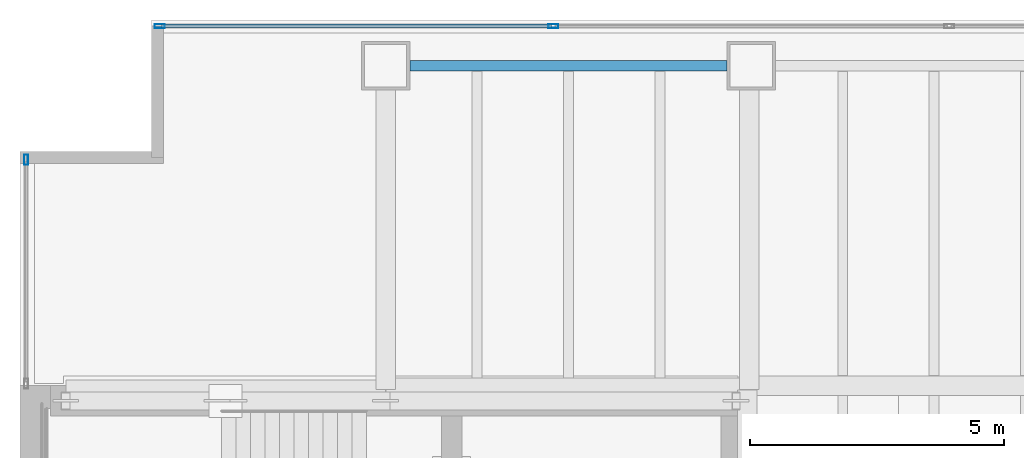
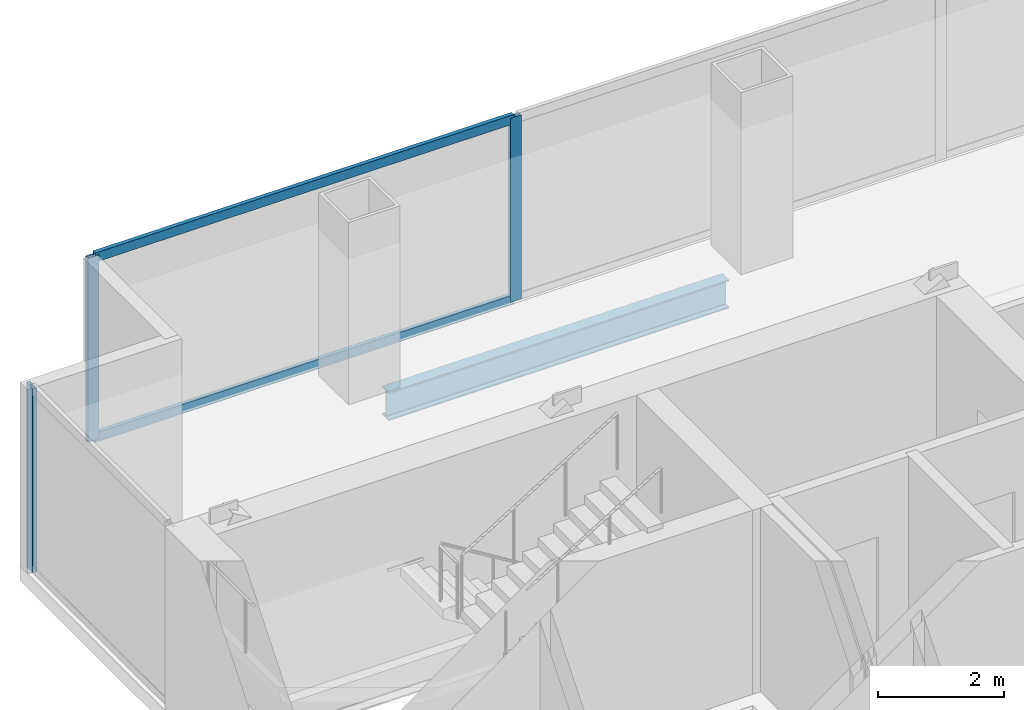
# One storey, part 16 of 24: 5 members, 1 beam, 2 elements without a shape of their own.
"""IFC4 building model written with IfcOpenShell, lengths in metres."""

from ifc_helpers import new_model, si_unit, direction, frame, origin, origin_2d, place, context, subcontext, project, spatial, hollow_rectangle, i_section, extrude, material, material_profile, profile_set, type_object, element, aggregate, save


model = new_model("IFC4")

# Units and contexts
model_context = context("Model", 3, precision=1e-05, world=origin(), true_north=direction((0.0, 1.0)))
body_context = subcontext(model_context, "Body", "Model", "MODEL_VIEW")
ifc_project = project(units=[si_unit("LENGTHUNIT", "METRE"), si_unit("AREAUNIT", "SQUARE_METRE"), si_unit("VOLUMEUNIT", "CUBIC_METRE"), si_unit("PLANEANGLEUNIT", "RADIAN"), si_unit("MASSUNIT", "GRAM", prefix="KILO")], contexts=[model_context])

# Site, building, storey
site_placement = place(None, origin())
site = spatial("IfcSite", under=ifc_project, at=site_placement, CompositionType="ELEMENT")
building_placement = place(site_placement, origin())
building = spatial("IfcBuilding", under=site, at=building_placement, Name="Cobrela Telecom Tower", CompositionType="ELEMENT")
storey_placement = place(building_placement, frame((0.0, 0.0, 85.050048828125)))
storey = spatial("IfcBuildingStorey", under=building, at=storey_placement, Name="L21", CompositionType="ELEMENT", Elevation=85.050048828125)

# Beam
ifc_material_1 = material(Name="Steel ASTM A992 Grade 50", Category="steel")
ifc_material_profile_1 = material_profile(ifc_material_1, i_section(OverallWidth=0.212890625, OverallDepth=0.549072265625, WebThickness=0.0146484375, FlangeThickness=0.023681640625, FilletRadius=0.013916015625, at=origin_2d()), Name="W21X93")
ifc_profile_set_1 = profile_set([ifc_material_profile_1], Name="Steel ASTM A992 Grade 50")
beam_type = type_object("IfcBeamType", Name="BM-SPAND-03", PredefinedType="SPANDREL", material=ifc_profile_set_1)
beam_placement = place(storey_placement, frame((7.679931640625, 42.300048828125, -0.554443359375), z_axis=(1.0, 0.0, 0.0), x_axis=(0.0, 1.0, 0.0)))
element("IfcBeam", 1, at=beam_placement, inside=storey, type_object=beam_type, Name="L21 Perimeter Spandrel X29", PredefinedType="SPANDREL", context=body_context, shape_type="SweptSolid", body=[
    extrude(i_section(OverallWidth=0.212890625, OverallDepth=0.549072265625, WebThickness=0.0146484375, FlangeThickness=0.023681640625, FilletRadius=0.013916015625, at=origin_2d()), origin(), (0.0, 0.0, 1.0), 6.239990234375),
])

# Curtain wall, member
ifc_material_2 = material(Name="Anodized Bronze Aluminium 6063-T6", Category="aluminium")
curtain_wall_type = type_object("IfcCurtainWallType", Name="CW-SYS-DATA", PredefinedType="USERDEFINED", material=ifc_material_2)
curtain_wall_1_placement = place(storey_placement, origin())
curtain_wall_1 = element("IfcCurtainWall", 2, at=curtain_wall_1_placement, inside=storey, type_object=curtain_wall_type, Name="L21 Unitised Bronze Curtain Wall 04", ObjectType="UNITISED CURTAIN WALL", PredefinedType="USERDEFINED")
ifc_material_profile_2 = material_profile(ifc_material_2, hollow_rectangle(XDim=0.080078125, YDim=0.199951171875, WallThickness=0.00390625, at=origin_2d()), Name="ALU 80x200x4")
ifc_profile_set_2 = profile_set([ifc_material_profile_2], Name="Anodized Bronze Aluminium 6063-T6")
member_type_1 = type_object("IfcMemberType", Name="CW-SYS-DATA-MUL", PredefinedType="MULLION", material=ifc_profile_set_2)
member_1_placement = place(storey_placement, frame((0.1201171875, 40.449951171875, 0.0), z_axis=(0.0, 0.0, 1.0), x_axis=(-1.0, 0.0, 0.0)))
member_1 = element("IfcMember", 3, at=member_1_placement, type_object=member_type_1, Name="CW-DATA mullion 2", PredefinedType="MULLION", context=body_context, shape_type="SweptSolid", body=[
    extrude(hollow_rectangle(XDim=0.080078125, YDim=0.199951171875, WallThickness=0.00390625, at=origin_2d()), origin(), (0.0, 0.0, 1.0), 3.570068359375),
])
aggregate(curtain_wall_1, [member_1])

# Curtain wall, members
curtain_wall_2_placement = place(storey_placement, origin())
curtain_wall_2 = element("IfcCurtainWall", 4, at=curtain_wall_2_placement, inside=storey, type_object=curtain_wall_type, Name="L21 Unitised Bronze Curtain Wall 07", ObjectType="UNITISED CURTAIN WALL", PredefinedType="USERDEFINED")
member_2_placement = place(storey_placement, frame((2.75, 43.080078125, 0.0), z_axis=(0.0, 0.0, 1.0), x_axis=(0.0, 1.0, 0.0)))
member_2 = element("IfcMember", 5, at=member_2_placement, type_object=member_type_1, Name="CW-DATA mullion 1", PredefinedType="MULLION", context=body_context, shape_type="SweptSolid", body=[
    extrude(hollow_rectangle(XDim=0.080078125, YDim=0.199951171875, WallThickness=0.00390625, at=origin_2d()), origin(), (0.0, 0.0, 1.0), 3.570068359375),
])
member_3_placement = place(storey_placement, frame((10.50341796875, 43.080078125, 0.0), z_axis=(0.0, 0.0, 1.0), x_axis=(0.0, 1.0, 0.0)))
member_3 = element("IfcMember", 6, at=member_3_placement, type_object=member_type_1, Name="CW-DATA mullion 2", PredefinedType="MULLION", context=body_context, shape_type="SweptSolid", body=[
    extrude(hollow_rectangle(XDim=0.080078125, YDim=0.199951171875, WallThickness=0.00390625, at=origin_2d()), origin(), (0.0, 0.0, 1.0), 3.570068359375),
])
ifc_material_profile_3 = material_profile(ifc_material_2, hollow_rectangle(XDim=0.074951171875, YDim=0.179931640625, WallThickness=0.00390625, at=origin_2d()), Name="ALU 75x180x4")
ifc_profile_set_3 = profile_set([ifc_material_profile_3], Name="Anodized Bronze Aluminium 6063-T6")
member_type_2 = type_object("IfcMemberType", Name="CW-SYS-DATA-TRN", PredefinedType="USERDEFINED", material=ifc_profile_set_3)
member_4_placement = place(storey_placement, frame((2.7900390625, 43.080078125, 0.037353515625), z_axis=(1.0, 0.0, 0.0), x_axis=(0.0, 1.0, 0.0)))
member_4 = element("IfcMember", 7, at=member_4_placement, type_object=member_type_2, Name="CW-DATA transom 1.1", ObjectType="TRANSOM", PredefinedType="USERDEFINED", context=body_context, shape_type="SweptSolid", body=[
    extrude(hollow_rectangle(XDim=0.074951171875, YDim=0.179931640625, WallThickness=0.00390625, at=origin_2d()), origin(), (0.0, 0.0, 1.0), 7.67333984375),
])
member_5_placement = place(storey_placement, frame((2.7900390625, 43.080078125, 3.532470703125), z_axis=(1.0, 0.0, 0.0), x_axis=(0.0, 1.0, 0.0)))
member_5 = element("IfcMember", 8, at=member_5_placement, type_object=member_type_2, Name="CW-DATA transom 1.2", ObjectType="TRANSOM", PredefinedType="USERDEFINED", context=body_context, shape_type="SweptSolid", body=[
    extrude(hollow_rectangle(XDim=0.074951171875, YDim=0.179931640625, WallThickness=0.00390625, at=origin_2d()), origin(), (0.0, 0.0, 1.0), 7.67333984375),
])
aggregate(curtain_wall_2, [member_2, member_3, member_4, member_5])

save(model, "model.ifc")
